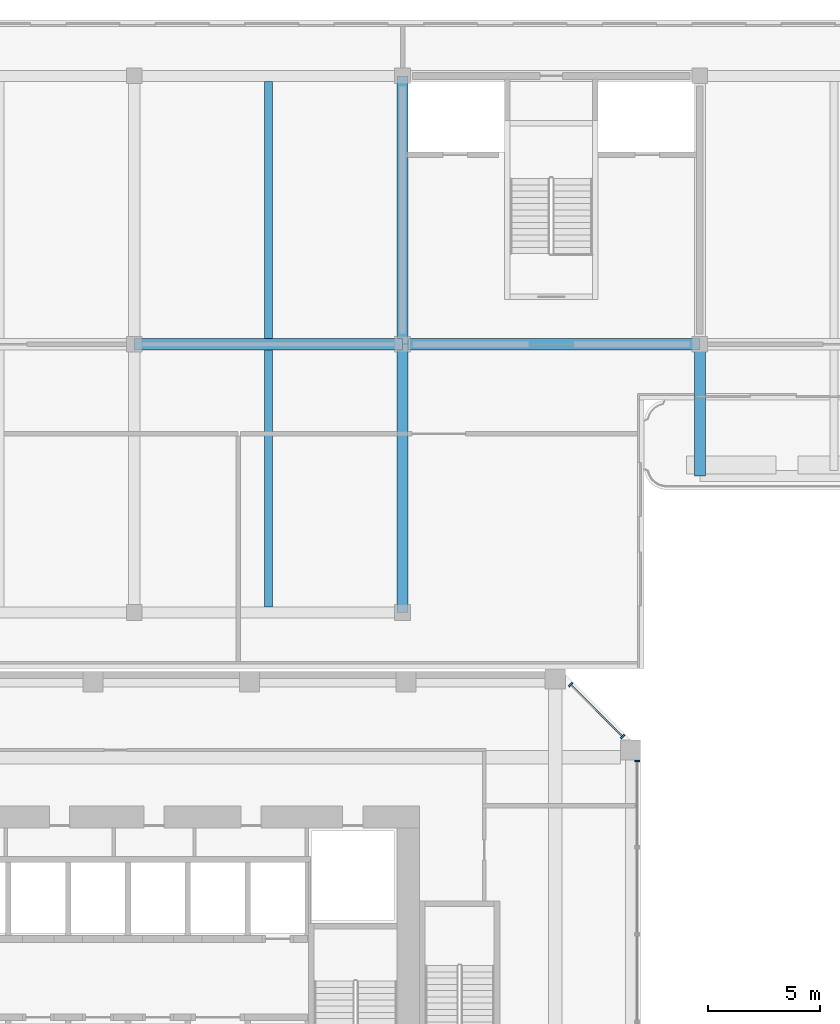
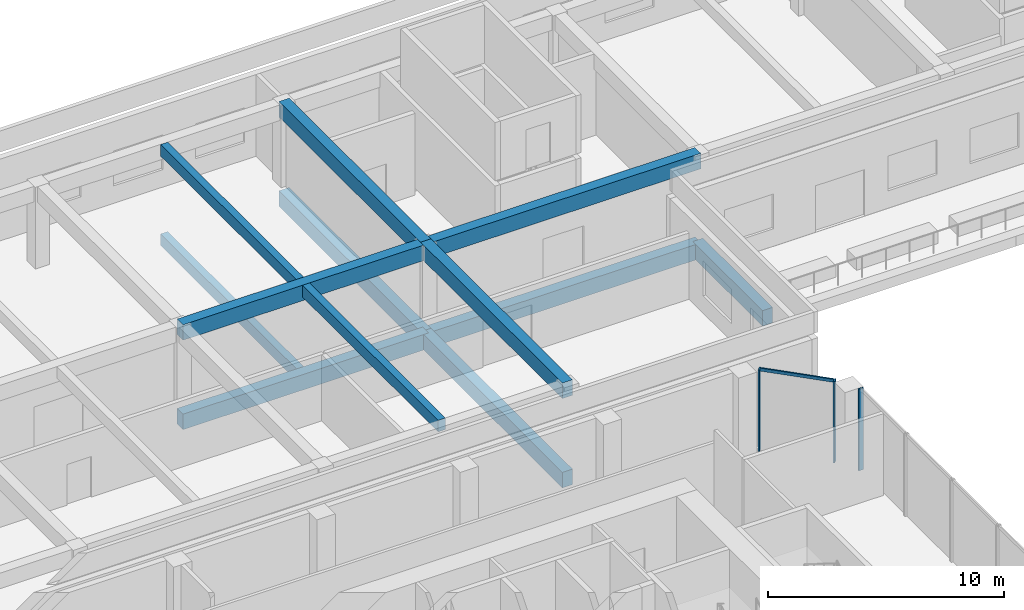
# One storey, part 10 of 35: 12 beams, 4 members, 2 elements without a shape of their own.
"""IFC4 building model written with IfcOpenShell, lengths in metres."""

import ifcopenshell
import ifcopenshell.guid

model = None  # the IFC model being written
_history = None  # IfcOwnerHistory: only IFC2X3 demands one
_inside = {}  # id of a spatial element -> (the spatial element, [elements in it])
_under = {}  # id of a project, library or spatial element -> (it, [spatial elements below it])
_declared = {}  # id of a project -> (the project, [libraries it declares])
_typed = {}  # id of a type object -> (the type object, [elements of that type])
_made_of = {}  # id of a material, layer set ... -> (it, [elements and type objects made of it])


def new_model(schema):
    """Start an empty IFC model of exactly this schema.

    Asked for "IFC4X3", IfcOpenShell would pick the latest addendum, in which some entities
    have other attributes; the version numbers below select the first issue.
    IFC2X3 requires an IfcOwnerHistory on every rooted entity: one is made here for all.
    """
    global model, _history
    if schema == "IFC4X3":
        model = ifcopenshell.file(schema_version=(4, 3, 0, 0))
    else:
        model = ifcopenshell.file(schema=schema)
    _inside.clear()
    _under.clear()
    _declared.clear()
    _typed.clear()
    _made_of.clear()
    _history = None
    if model.schema == "IFC2X3":
        org = make("IfcOrganization", Name="unknown")
        user = make(
            "IfcPersonAndOrganization",
            ThePerson=make("IfcPerson", FamilyName="unknown"),
            TheOrganization=org,
        )
        app = make(
            "IfcApplication",
            ApplicationDeveloper=org,
            Version="unknown",
            ApplicationFullName="unknown",
            ApplicationIdentifier="unknown",
        )
        _history = make(
            "IfcOwnerHistory",
            OwningUser=user,
            OwningApplication=app,
            ChangeAction="ADDED",
            CreationDate=0,
        )
    return model


def make(cls, **values):
    """One entity of the class cls with the attributes given. An attribute that is None is left unset."""
    return model.create_entity(
        cls, **{name: value for name, value in values.items() if value is not None}
    )


def rooted(cls, **values):
    """An entity with a GlobalId (a new one), such as an element, a storey or a relation."""
    return make(cls, GlobalId=ifcopenshell.guid.new(), OwnerHistory=_history, **values)


def si_unit(unit_type, name, prefix=None):
    """IfcSIUnit, for example si_unit("LENGTHUNIT", "METRE", prefix="MILLI")."""
    return make("IfcSIUnit", UnitType=unit_type, Prefix=prefix, Name=name)


def assignment(units):
    """IfcUnitAssignment: the units of a project."""
    return None if units is None else make("IfcUnitAssignment", Units=units)


def point(xyz):
    """IfcCartesianPoint."""
    return None if xyz is None else make("IfcCartesianPoint", Coordinates=xyz)


def direction(xyz):
    """IfcDirection."""
    return None if xyz is None else make("IfcDirection", DirectionRatios=xyz)


def frame(location, z_axis=None, x_axis=None):
    """IfcAxis2Placement3D, a coordinate frame: its origin and axes. An axis left out is left unset."""
    return make(
        "IfcAxis2Placement3D",
        Location=point(location),
        Axis=direction(z_axis),
        RefDirection=direction(x_axis),
    )


def frame_2d(location, x_axis=None):
    """IfcAxis2Placement2D, a coordinate frame in the plane: its origin and x axis."""
    return make(
        "IfcAxis2Placement2D", Location=point(location), RefDirection=direction(x_axis)
    )


def origin():
    """The frame at (0, 0, 0) with its axes left unset."""
    return frame((0.0, 0.0, 0.0))


def origin_2d():
    """The frame at (0, 0) in the plane with its x axis left unset."""
    return frame_2d((0.0, 0.0))


def place(relative_to, where):
    """IfcLocalPlacement: puts the frame where relative to a parent placement (None: the world)."""
    return make(
        "IfcLocalPlacement", PlacementRelTo=relative_to, RelativePlacement=where
    )


def context(
    kind, dimensions, precision=None, world=None, true_north=None, identifier=None
):
    """IfcGeometricRepresentationContext, for example the 3D "Model" context."""
    return make(
        "IfcGeometricRepresentationContext",
        ContextIdentifier=identifier,
        ContextType=kind,
        CoordinateSpaceDimension=dimensions,
        Precision=precision,
        WorldCoordinateSystem=world,
        TrueNorth=true_north,
    )


def subcontext(parent, identifier, kind, view, scale=None):
    """IfcGeometricRepresentationSubContext, for example "Body" below "Model"."""
    return make(
        "IfcGeometricRepresentationSubContext",
        ContextIdentifier=identifier,
        ContextType=kind,
        ParentContext=parent,
        TargetScale=scale,
        TargetView=view,
    )


def project(units=None, contexts=None):
    """IfcProject with its units and contexts."""
    return rooted(
        "IfcProject",
        Name="project",
        RepresentationContexts=contexts,
        UnitsInContext=assignment(units),
    )


def spatial(cls, under=None, at=None, **own):
    """A site, building, storey or space (cls), placed at a placement, below another one or the project."""
    s = rooted(cls, ObjectPlacement=at, **own)
    if under is not None:
        _under.setdefault(under.id(), (under, []))[1].append(s)
    return s


def profile(cls, at=None, kind="AREA", **sizes):
    """A parametric profile (cls). Its sizes go by their IFC names, for example OverallWidth=200.0."""
    return make(cls, ProfileType=kind, Position=at, **sizes)


def rectangle(**sizes):
    """IfcRectangleProfileDef."""
    return profile("IfcRectangleProfileDef", **sizes)


def extrude(swept, where, along, depth):
    """IfcExtrudedAreaSolid: the profile swept, set in the frame where, extruded along a direction by depth."""
    return make(
        "IfcExtrudedAreaSolid",
        SweptArea=swept,
        Position=where,
        ExtrudedDirection=direction(along),
        Depth=depth,
    )


def shape(context_of_items, identifier, shape_type, items):
    """IfcShapeRepresentation: the items that make up one representation, for example the "Body"."""
    return make(
        "IfcShapeRepresentation",
        ContextOfItems=context_of_items,
        RepresentationIdentifier=identifier,
        RepresentationType=shape_type,
        Items=items,
    )


def source(mapping_origin, context_of_items, identifier, shape_type, items):
    """IfcRepresentationMap: a shape defined once, which mapped items show again and again."""
    return make(
        "IfcRepresentationMap",
        MappingOrigin=mapping_origin,
        MappedRepresentation=shape(context_of_items, identifier, shape_type, items),
    )


def transform(
    local_origin,
    x_axis=None,
    y_axis=None,
    z_axis=None,
    scale=None,
    scale2=None,
    scale3=None,
    uniform=True,
):
    """IfcCartesianTransformationOperator3D, or its non-uniform kind. x_axis, y_axis, z_axis: its Axis1, 2, 3."""
    if uniform:
        return make(
            "IfcCartesianTransformationOperator3D",
            Axis1=direction(x_axis),
            Axis2=direction(y_axis),
            LocalOrigin=point(local_origin),
            Scale=scale,
            Axis3=direction(z_axis),
        )
    return make(
        "IfcCartesianTransformationOperator3DnonUniform",
        Axis1=direction(x_axis),
        Axis2=direction(y_axis),
        LocalOrigin=point(local_origin),
        Scale=scale,
        Axis3=direction(z_axis),
        Scale2=scale2,
        Scale3=scale3,
    )


def mapped(mapping_source, mapping_target):
    """IfcMappedItem: shows the shape of a source again, moved by a transform."""
    return make(
        "IfcMappedItem", MappingSource=mapping_source, MappingTarget=mapping_target
    )


def material(Name=None, Category=None):
    """IfcMaterial."""
    return make("IfcMaterial", Name=Name, Category=Category)


def material_profile(
    of_material, cross_section, Name=None, Category=None, Priority=None
):
    """IfcMaterialProfile: a cross section and its material."""
    return make(
        "IfcMaterialProfile",
        Name=Name,
        Material=of_material,
        Profile=cross_section,
        Priority=Priority,
        Category=Category,
    )


def profile_set(profiles, Name=None, composite=None):
    """IfcMaterialProfileSet."""
    return make(
        "IfcMaterialProfileSet",
        Name=Name,
        MaterialProfiles=profiles,
        CompositeProfile=composite,
    )


def made_of(thing, what):
    """Note that an element or type object is made of a material, layer set ...; save() writes the relation."""
    if what is not None:
        _made_of.setdefault(what.id(), (what, []))[1].append(thing)
    return thing


def type_object(cls, material=None, **own):
    """A type object (cls), such as IfcWallType, which elements share."""
    return made_of(rooted(cls, **own), material)


def element(
    cls,
    number,
    at=None,
    inside=None,
    cuts=None,
    type_object=None,
    material=None,
    context=None,
    identifier="Body",
    shape_type=None,
    held_by="IfcProductDefinitionShape",
    body=None,
    shapes=None,
    **own,
):
    """One element of the class cls, such as IfcWall. Its Tag is "e" and its number.

    at: its placement. inside: the storey or other place that contains it. cuts: it is an
    opening in that element (IfcRelVoidsElement). A single representation is given by context,
    identifier, shape_type and body (its items); several are given by shapes. held_by: the class
    of the entity that holds the representations. save() writes the other relations.
    """
    e = rooted(cls, Tag="e%d" % number, ObjectPlacement=at, **own)
    if body is not None:
        shapes = [shape(context, identifier, shape_type, body)]
    if shapes is not None:
        e.Representation = make(held_by, Representations=shapes)
    if inside is not None:
        _inside.setdefault(inside.id(), (inside, []))[1].append(e)
    if cuts is not None:
        rooted(
            "IfcRelVoidsElement", RelatingBuildingElement=cuts, RelatedOpeningElement=e
        )
    if type_object is not None:
        _typed.setdefault(type_object.id(), (type_object, []))[1].append(e)
    return made_of(e, material)


def aggregate(whole, parts):
    """IfcRelAggregates: a whole, such as a stair, and the parts it consists of."""
    return rooted("IfcRelAggregates", RelatingObject=whole, RelatedObjects=parts)


def save(model, path):
    """Write the relations noted so far, then the file.

    IfcRelAggregates (storeys below a building ...), IfcRelContainedInSpatialStructure (elements
    in a storey), IfcRelDefinesByType, IfcRelAssociatesMaterial and IfcRelDeclares: one each for
    every whole, place, type object, material and project.
    """
    for whole, parts in _under.values():
        aggregate(whole, parts)
    for where, things in _inside.values():
        rooted(
            "IfcRelContainedInSpatialStructure",
            RelatedElements=things,
            RelatingStructure=where,
        )
    for kind, things in _typed.values():
        rooted("IfcRelDefinesByType", RelatedObjects=things, RelatingType=kind)
    for what, things in _made_of.values():
        rooted("IfcRelAssociatesMaterial", RelatedObjects=things, RelatingMaterial=what)
    for by, libraries in _declared.values():
        rooted("IfcRelDeclares", RelatingContext=by, RelatedDefinitions=libraries)
    model.write(path)


model = new_model("IFC4")

# Units and contexts
model_context = context("Model", 3, precision=1e-05, world=origin(), true_north=direction((0.0, 1.0)))
body_context = subcontext(model_context, "Body", "Model", "MODEL_VIEW")
ifc_project = project(units=[si_unit("LENGTHUNIT", "METRE"), si_unit("AREAUNIT", "SQUARE_METRE"), si_unit("VOLUMEUNIT", "CUBIC_METRE"), si_unit("PLANEANGLEUNIT", "RADIAN"), si_unit("MASSUNIT", "GRAM", prefix="KILO")], contexts=[model_context])

# Site, building, storey
site_placement = place(None, origin())
site = spatial("IfcSite", under=ifc_project, at=site_placement, CompositionType="ELEMENT")
building_placement = place(site_placement, origin())
building = spatial("IfcBuilding", under=site, at=building_placement, Name="Kilnfold Tower and Market Hall", CompositionType="ELEMENT")
storey_placement = place(building_placement, frame((0.0, 0.0, 22.5)))
storey = spatial("IfcBuildingStorey", under=building, at=storey_placement, Name="L04", CompositionType="ELEMENT", Elevation=22.5)

# Beams
ifc_material_1 = material(Name="Concrete C40/50", Category="concrete")
ifc_material_profile_1 = material_profile(ifc_material_1, rectangle(XDim=0.5, YDim=0.800048828125, at=origin_2d()), Name="RC 500x800")
ifc_profile_set_1 = profile_set([ifc_material_profile_1], Name="Concrete C40/50")
beam_type_1 = type_object("IfcBeamType", Name="HALL GIRDER 500X800", PredefinedType="BEAM", material=ifc_profile_set_1)
for number, where, z_axis, x_axis, name in (
    (1, (5.35009765625, 42.64990234375, -0.800048828125), (1.0, 0.0, 0.0), (0.0, 1.0, 0.0), "Beam MG2.58"),
    (2, (17.35009765625, 30.64990234375, -0.800048828125), (0.0, 1.0, 0.0), (-1.0, 0.0, 0.0), "Beam MG2.60"),
    (3, (17.35009765625, 42.64990234375, -0.800048828125), (0.0, 1.0, 0.0), (-1.0, 0.0, 0.0), "Beam MG2.61"),
):
    element("IfcBeam", number, at=place(storey_placement, frame(where, z_axis=z_axis, x_axis=x_axis)), inside=storey, type_object=beam_type_1, Name=name, PredefinedType="BEAM", context=body_context, shape_type="SweptSolid", body=[
        extrude(rectangle(XDim=0.5, YDim=0.800048828125, at=origin_2d()), origin(), (0.0, 0.0, 1.0), 12.0),
    ])
beam_1_placement = place(storey_placement, frame((17.35009765625, 42.64990234375, -0.800048828125), z_axis=(1.0, 0.0, 0.0), x_axis=(0.0, 1.0, 0.0)))
element("IfcBeam", 4, at=beam_1_placement, inside=storey, type_object=beam_type_1, Name="Beam MG2.62", PredefinedType="BEAM", context=body_context, shape_type="SweptSolid", body=[
    extrude(rectangle(XDim=0.5, YDim=0.800048828125, at=origin_2d()), origin(), (0.0, 0.0, 1.0), 13.2998046875),
])
beam_2_placement = place(storey_placement, frame((30.64990234375, 36.75, -0.800048828125), z_axis=(0.0, 1.0, 0.0), x_axis=(-1.0, 0.0, 0.0)))
element("IfcBeam", 5, at=beam_2_placement, inside=storey, type_object=beam_type_1, Name="Beam MG2.64", PredefinedType="BEAM", context=body_context, shape_type="SweptSolid", body=[
    extrude(rectangle(XDim=0.5, YDim=0.800048828125, at=origin_2d()), origin(), (0.0, 0.0, 1.0), 5.89990234375),
])
for number, where, z_axis, x_axis, name in (
    (6, (5.35009765625, 42.64990234375, 3.820068359375), (1.0, 0.0, 0.0), (0.0, 1.0, 0.0), "Roof beam MG2.R55"),
    (7, (17.35009765625, 30.64990234375, 3.820068359375), (0.0, 1.0, 0.0), (-1.0, 0.0, 0.0), "Roof beam MG2.R57"),
    (8, (17.35009765625, 42.64990234375, 3.820068359375), (0.0, 1.0, 0.0), (-1.0, 0.0, 0.0), "Roof beam MG2.R58"),
):
    element("IfcBeam", number, at=place(storey_placement, frame(where, z_axis=z_axis, x_axis=x_axis)), inside=storey, type_object=beam_type_1, Name=name, PredefinedType="BEAM", context=body_context, shape_type="SweptSolid", body=[
        extrude(rectangle(XDim=0.5, YDim=0.800048828125, at=origin_2d()), origin(), (0.0, 0.0, 1.0), 12.0),
    ])
beam_3_placement = place(storey_placement, frame((17.35009765625, 42.64990234375, 3.820068359375), z_axis=(1.0, 0.0, 0.0), x_axis=(0.0, 1.0, 0.0)))
element("IfcBeam", 9, at=beam_3_placement, inside=storey, type_object=beam_type_1, Name="Roof beam MG2.R59", PredefinedType="BEAM", context=body_context, shape_type="SweptSolid", body=[
    extrude(rectangle(XDim=0.5, YDim=0.800048828125, at=origin_2d()), origin(), (0.0, 0.0, 1.0), 13.2998046875),
])
ifc_material_2 = material(Name="Concrete C40/50", Category="concrete")
ifc_material_profile_2 = material_profile(ifc_material_2, rectangle(XDim=0.35009765625, YDim=0.60009765625, at=origin_2d()), Name="RC 350x600")
ifc_profile_set_2 = profile_set([ifc_material_profile_2], Name="Concrete C40/50")
beam_type_2 = type_object("IfcBeamType", Name="HALL JOIST 350X600", PredefinedType="BEAM", material=ifc_profile_set_2)
for number, where, z_axis, x_axis, name in (
    (10, (11.35009765625, 42.89990234375, -0.699951171875), (0.0, 1.0, 0.0), (-1.0, 0.0, 0.0), "Beam MJ1.10"),
    (11, (11.35009765625, 30.89990234375, 3.919921875), (0.0, 1.0, 0.0), (-1.0, 0.0, 0.0), "Roof beam MJ1.R14"),
    (12, (11.35009765625, 42.89990234375, 3.919921875), (0.0, 1.0, 0.0), (-1.0, 0.0, 0.0), "Roof beam MJ1.R15"),
):
    element("IfcBeam", number, at=place(storey_placement, frame(where, z_axis=z_axis, x_axis=x_axis)), inside=storey, type_object=beam_type_2, Name=name, PredefinedType="BEAM", context=body_context, shape_type="SweptSolid", body=[
        extrude(rectangle(XDim=0.35009765625, YDim=0.60009765625, at=origin_2d()), origin(), (0.0, 0.0, 1.0), 11.5),
    ])

# Curtain wall, member
ifc_material_3 = material(Name="Aluminium and double glazing", Category="aluminium")
curtain_wall_type = type_object("IfcCurtainWallType", Name="CW BASE PODIUM GLAZING", PredefinedType="NOTDEFINED", material=ifc_material_3)
curtain_wall_1_placement = place(storey_placement, origin())
curtain_wall_1 = element("IfcCurtainWall", 13, at=curtain_wall_1_placement, inside=storey, type_object=curtain_wall_type, Name="Curtain wall CW4 L04 NE", PredefinedType="NOTDEFINED")
ifc_material_4 = material(Name="Aluminium", Category="aluminium")
ifc_material_profile_3 = material_profile(ifc_material_4, rectangle(XDim=0.070068359375, YDim=0.159912109375, at=origin_2d()), Name="TRANSOM 70x160")
ifc_profile_set_3 = profile_set([ifc_material_profile_3], Name="Aluminium")
member_type_1 = type_object("IfcMemberType", Name="TRANSOM 70X160", PredefinedType="USERDEFINED", material=ifc_profile_set_3)
shared_shape_1 = source(origin(), body_context, "Body", "SweptSolid", [
    extrude(rectangle(XDim=0.070068359375, YDim=0.159912109375, at=origin_2d()), origin(), (0.0, 0.0, 1.0), 3.218994140625),
])
member_1_placement = place(storey_placement, frame((27.16943359375, 25.118408203125, 4.18505859375), z_axis=(-0.707106781187, 0.707106781187, 0.0), x_axis=(-0.707106781187, -0.707106781187, 0.0)))
member_1 = element("IfcMember", 14, at=member_1_placement, type_object=member_type_1, Name="CW4 transom 1.2", ObjectType="TRANSOM", PredefinedType="USERDEFINED", context=body_context, shape_type="MappedRepresentation", body=[
    mapped(shared_shape_1, transform((0.0, 0.0, 0.0))),
])

curtain_wall_2_placement = place(storey_placement, origin())
curtain_wall_2 = element("IfcCurtainWall", 15, at=curtain_wall_2_placement, inside=storey, type_object=curtain_wall_type, Name="Curtain wall CW4 L04 E", PredefinedType="NOTDEFINED")
ifc_material_5 = material(Name="Aluminium", Category="aluminium")
ifc_material_profile_4 = material_profile(ifc_material_5, rectangle(XDim=0.070068359375, YDim=0.219970703125, at=origin_2d()), Name="MULLION 70x220")
ifc_profile_set_4 = profile_set([ifc_material_profile_4], Name="Aluminium")
member_type_2 = type_object("IfcMemberType", Name="MULLION 70X220", PredefinedType="MULLION", material=ifc_profile_set_4)
shared_shape_2 = source(origin(), body_context, "Body", "SweptSolid", [
    extrude(rectangle(XDim=0.070068359375, YDim=0.219970703125, at=origin_2d()), origin(), (0.0, 0.0, 1.0), 4.219970703125),
])
member_2_placement = place(storey_placement, frame((27.85009765625, 24.014892578125, 0.0), z_axis=(0.0, 0.0, 1.0), x_axis=(0.0, 1.0, 0.0)))
member_2 = element("IfcMember", 16, at=member_2_placement, type_object=member_type_2, Name="CW4 mullion 2", PredefinedType="MULLION", context=body_context, shape_type="MappedRepresentation", body=[
    mapped(shared_shape_2, transform((0.0, 0.0, 0.0))),
])
aggregate(curtain_wall_2, [member_2])

# Member
member_3_placement = place(storey_placement, frame((27.194091796875, 25.09375, 0.0), z_axis=(0.0, 0.0, 1.0), x_axis=(-0.707091894879, 0.707121667181, 0.0)))
member_3 = element("IfcMember", 17, at=member_3_placement, type_object=member_type_2, Name="CW4 mullion 1", PredefinedType="MULLION", context=body_context, shape_type="MappedRepresentation", body=[
    mapped(shared_shape_2, transform((0.0, 0.0, 0.0))),
])

member_4_placement = place(storey_placement, frame((24.86865234375, 27.419189453125, 0.0), z_axis=(0.0, 0.0, 1.0), x_axis=(-0.707091894879, 0.707121667181, 0.0)))
member_4 = element("IfcMember", 18, at=member_4_placement, type_object=member_type_2, Name="CW4 mullion 2", PredefinedType="MULLION", context=body_context, shape_type="MappedRepresentation", body=[
    mapped(shared_shape_2, transform((0.0, 0.0, 0.0))),
])

aggregate(curtain_wall_1, [member_3, member_4, member_1])

save(model, "model.ifc")
